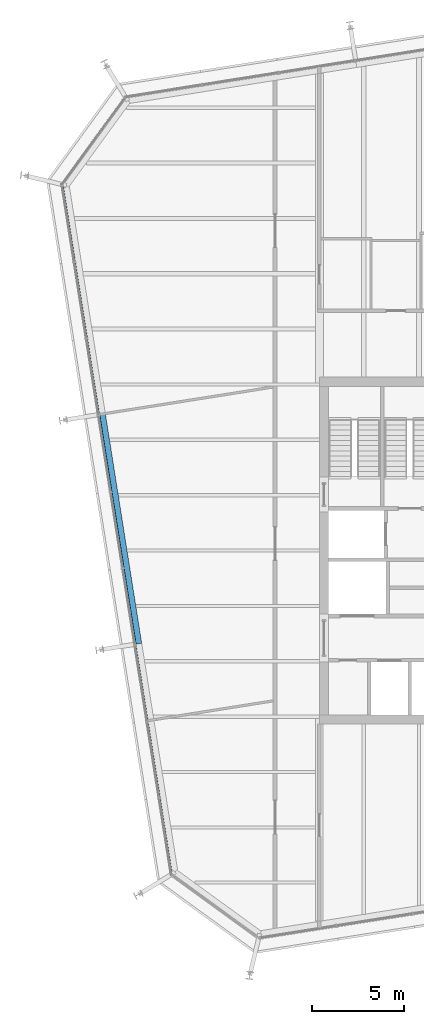
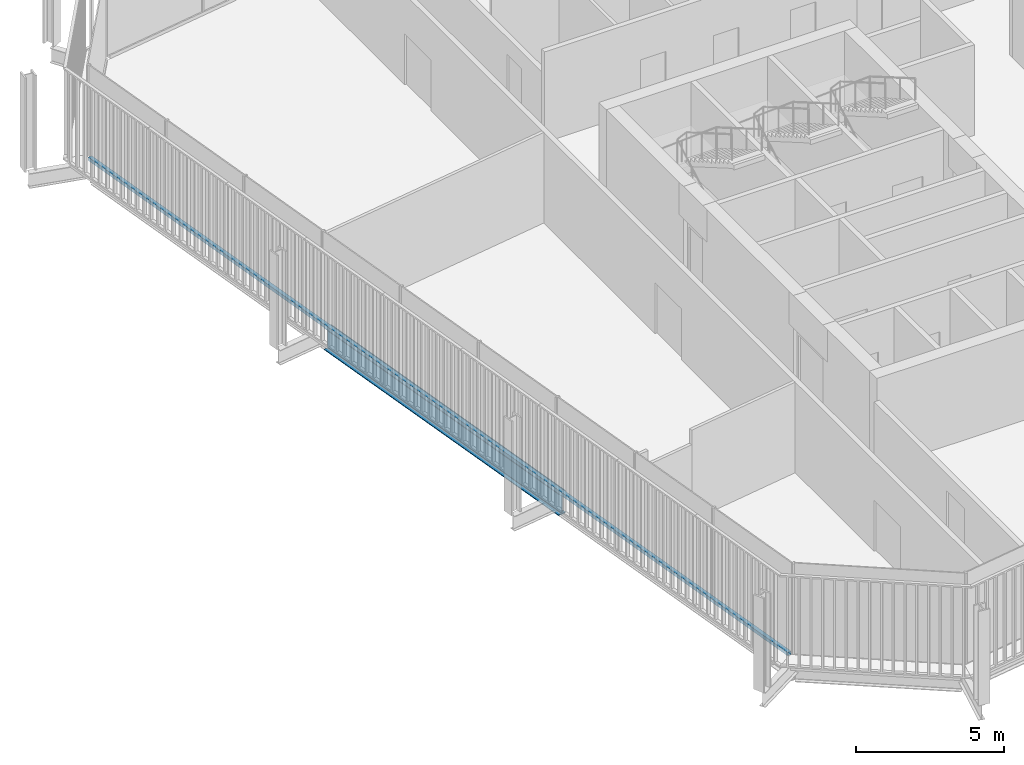
# One storey, part 5 of 20: 1 beam, 1 member, 1 element without a shape of its own.
"""IFC4 building model written with IfcOpenShell, lengths in metres."""

from ifc_helpers import new_model, si_unit, direction, frame, origin, origin_2d, place, context, subcontext, project, spatial, rectangle, i_section, extrude, material, layer, layer_set, material_profile, profile_set, type_object, element, aggregate, save


model = new_model("IFC4")

# Units and contexts
model_context = context("Model", 3, precision=1e-05, world=origin(), true_north=direction((0.0, 1.0)))
body_context = subcontext(model_context, "Body", "Model", "MODEL_VIEW")
ifc_project = project(units=[si_unit("LENGTHUNIT", "METRE"), si_unit("AREAUNIT", "SQUARE_METRE"), si_unit("VOLUMEUNIT", "CUBIC_METRE"), si_unit("PLANEANGLEUNIT", "RADIAN"), si_unit("MASSUNIT", "GRAM", prefix="KILO")], contexts=[model_context])

# Site, building, storey
site_placement = place(None, origin())
site = spatial("IfcSite", under=ifc_project, at=site_placement, CompositionType="ELEMENT")
building_placement = place(site_placement, origin())
building = spatial("IfcBuilding", under=site, at=building_placement, Name="Millrace Tower", CompositionType="ELEMENT")
storey_placement = place(building_placement, frame((0.0, 0.0, 259.10009765625)))
storey = spatial("IfcBuildingStorey", under=building, at=storey_placement, Name="L59", CompositionType="ELEMENT", Elevation=259.10009765625)

# Curtain wall, member
ifc_material_1 = material(Name="Aluminium and glass", Category="aluminium")
ifc_layer = layer(ifc_material_1, 0.14990234375)
ifc_layer_set = layer_set([ifc_layer], Name="Aluminium and glass")
curtain_wall_type = type_object("IfcCurtainWallType", Name="CW-1 office vision curtain wall", PredefinedType="NOTDEFINED", material=ifc_layer_set)
curtain_wall_placement = place(storey_placement, origin())
curtain_wall = element("IfcCurtainWall", 1, at=curtain_wall_placement, inside=storey, type_object=curtain_wall_type, Name="Curtain wall D-F08 L59", PredefinedType="NOTDEFINED")
ifc_material_2 = material(Name="Aluminium", Category="aluminium")
ifc_material_profile_1 = material_profile(ifc_material_2, rectangle(XDim=0.14990234375, YDim=0.139892578125, at=origin_2d()))
ifc_profile_set_1 = profile_set([ifc_material_profile_1], Name="Aluminium")
member_type = type_object("IfcMemberType", Name="CW-1 office vision curtain wall transom", PredefinedType="USERDEFINED", material=ifc_profile_set_1)
member_placement = place(storey_placement, frame((-28.331787109375, 19.708740234375, 0.06982421875), z_axis=(0.156432359726, -0.987688674042, 0.0), x_axis=(0.987688674042, 0.156432359726, 0.0)))
member = element("IfcMember", 2, at=member_placement, type_object=member_type, Name="CW1 transom D-F08.1", ObjectType="TRANSOM", PredefinedType="USERDEFINED", context=body_context, shape_type="SweptSolid", body=[
    extrude(rectangle(XDim=0.14990234375, YDim=0.139892578125, at=origin_2d()), origin(), (0.0, 0.0, 1.0), 37.599853515625),
])
aggregate(curtain_wall, [member])

# Beam
ifc_material_3 = material(Name="Steel ASTM A992 Grade 50", Category="steel")
ifc_material_profile_2 = material_profile(ifc_material_3, i_section(OverallWidth=0.307373046875, OverallDepth=0.927001953125, WebThickness=0.01953125, FlangeThickness=0.031982421875, FilletRadius=0.01904296875, at=origin_2d()))
ifc_profile_set_2 = profile_set([ifc_material_profile_2], Name="Steel ASTM A992 Grade 50")
beam_type = type_object("IfcBeamType", Name="Ring beam medium span W36x194", PredefinedType="SPANDREL", material=ifc_profile_set_2)
beam_placement = place(storey_placement, frame((-24.179443359375, -5.04638671875, -0.62353515625), z_axis=(-0.1564441342, 0.987686809102, 0.0), x_axis=(-0.987686809102, -0.1564441342, 0.0)))
element("IfcBeam", 3, at=beam_placement, inside=storey, type_object=beam_type, Name="RNG-D-L59-S1-02", PredefinedType="SPANDREL", context=body_context, shape_type="SweptSolid", body=[
    extrude(i_section(OverallWidth=0.307373046875, OverallDepth=0.927001953125, WebThickness=0.01953125, FlangeThickness=0.031982421875, FilletRadius=0.01904296875, at=origin_2d()), origin(), (0.0, 0.0, 1.0), 12.599853515625),
])

save(model, "model.ifc")
